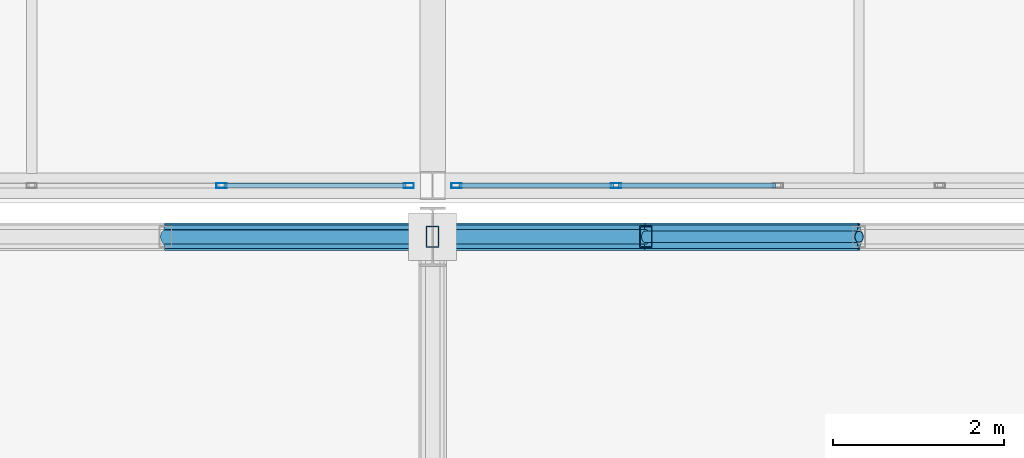
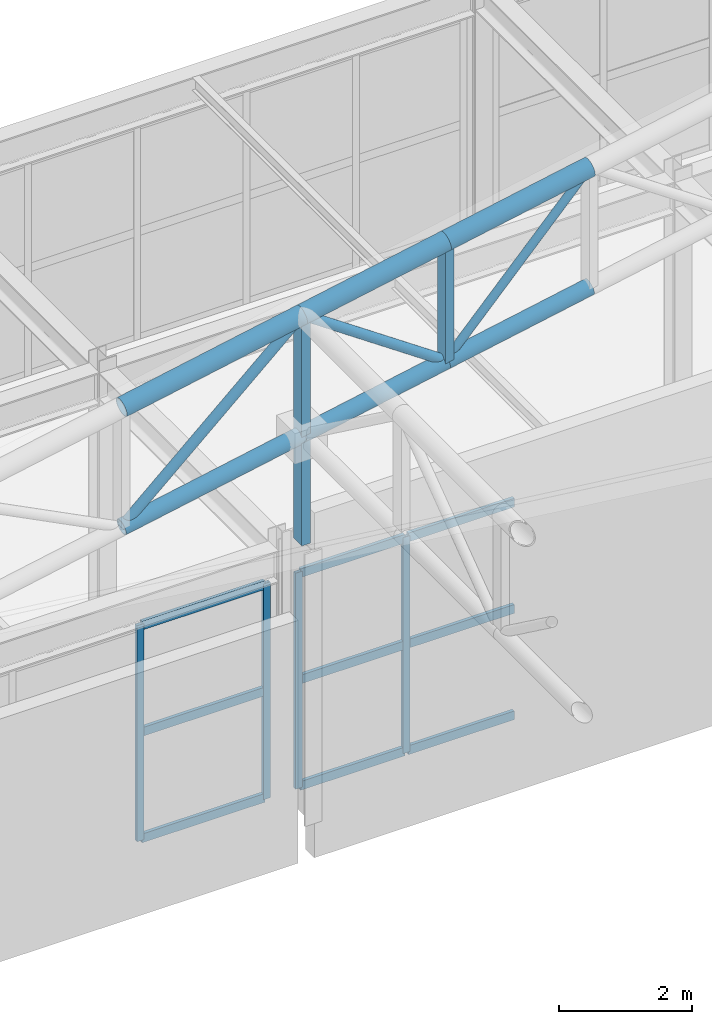
# One storey, part 65 of 112: 24 members, 2 elements without a shape of their own.
"""IFC4 building model written with IfcOpenShell, lengths in metres."""

from ifc_helpers import new_model, si_unit, direction, frame, origin, origin_2d, place, context, subcontext, project, spatial, hollow_rectangle, hollow_circle, extrude, material, material_profile, profile_set, type_object, element, aggregate, save


model = new_model("IFC4")

# Units and contexts
model_context = context("Model", 3, precision=1e-05, world=origin(), true_north=direction((0.0, 1.0)))
body_context = subcontext(model_context, "Body", "Model", "MODEL_VIEW")
ifc_project = project(units=[si_unit("LENGTHUNIT", "METRE"), si_unit("AREAUNIT", "SQUARE_METRE"), si_unit("VOLUMEUNIT", "CUBIC_METRE"), si_unit("PLANEANGLEUNIT", "RADIAN"), si_unit("MASSUNIT", "GRAM", prefix="KILO")], contexts=[model_context])

# Site, building, storey
site_placement = place(None, origin())
site = spatial("IfcSite", under=ifc_project, at=site_placement, CompositionType="ELEMENT")
building_placement = place(site_placement, origin())
building = spatial("IfcBuilding", under=site, at=building_placement, Name="Kaldris Quays Convention Centre", CompositionType="ELEMENT")
storey_placement = place(building_placement, frame((0.0, 0.0, 16.800048828125)))
storey = spatial("IfcBuildingStorey", under=building, at=storey_placement, Name="L03", CompositionType="ELEMENT", Elevation=16.800048828125)

# Curtain wall, members
ifc_material_1 = material(Name="Anodized aluminium AW-6060 and triple glazing", Category="aluminium")
curtain_wall_type = type_object("IfcCurtainWallType", Name="UNITISED CURTAIN WALL CW06", PredefinedType="NOTDEFINED", material=ifc_material_1)
curtain_wall_1_placement = place(storey_placement, origin())
curtain_wall_1 = element("IfcCurtainWall", 1, at=curtain_wall_1_placement, inside=storey, type_object=curtain_wall_type, Name="L03 Unitised Curtain Wall CW06 174", PredefinedType="NOTDEFINED")
ifc_material_2 = material(Name="Anodized aluminium AW-6060", Category="aluminium")
ifc_material_profile_1 = material_profile(ifc_material_2, hollow_rectangle(XDim=0.06005859375, YDim=0.1201171875, WallThickness=0.00390625, at=origin_2d()), Name="RHS 120x60x4")
ifc_profile_set_1 = profile_set([ifc_material_profile_1], Name="Anodized aluminium AW-6060")
member_type_1 = type_object("IfcMemberType", Name="CURTAIN MULLION CWM3", PredefinedType="MULLION", material=ifc_profile_set_1)
member_1_placement = place(storey_placement, frame((171.52490234375, 104.60009765625, 0.0), z_axis=(0.0, 0.0, 1.0), x_axis=(0.0, 1.0, 0.0)))
member_1 = element("IfcMember", 2, at=member_1_placement, type_object=member_type_1, Name="CW06 mullion 4", PredefinedType="MULLION", context=body_context, shape_type="SweptSolid", body=[
    extrude(hollow_rectangle(XDim=0.06005859375, YDim=0.1201171875, WallThickness=0.00390625, at=origin_2d()), origin(), (0.0, 0.0, 1.0), 3.967041015625),
])
member_2_placement = place(storey_placement, frame((173.719970703125, 104.60009765625, 0.0), z_axis=(0.0, 0.0, 1.0), x_axis=(0.0, 1.0, 0.0)))
member_2 = element("IfcMember", 3, at=member_2_placement, type_object=member_type_1, Name="CW06 mullion 5", PredefinedType="MULLION", context=body_context, shape_type="SweptSolid", body=[
    extrude(hollow_rectangle(XDim=0.06005859375, YDim=0.1201171875, WallThickness=0.00390625, at=origin_2d()), origin(), (0.0, 0.0, 1.0), 3.967041015625),
])

curtain_wall_2_placement = place(storey_placement, origin())
curtain_wall_2 = element("IfcCurtainWall", 4, at=curtain_wall_2_placement, inside=storey, type_object=curtain_wall_type, Name="L03 Unitised Curtain Wall CW06 176", PredefinedType="NOTDEFINED")
member_3_placement = place(storey_placement, frame((174.280029296875, 104.60009765625, 0.0), z_axis=(0.0, 0.0, 1.0), x_axis=(0.0, 1.0, 0.0)))
member_3 = element("IfcMember", 5, at=member_3_placement, type_object=member_type_1, Name="CW06 mullion 1", PredefinedType="MULLION", context=body_context, shape_type="SweptSolid", body=[
    extrude(hollow_rectangle(XDim=0.06005859375, YDim=0.1201171875, WallThickness=0.00390625, at=origin_2d()), origin(), (0.0, 0.0, 1.0), 3.967041015625),
])
member_4_placement = place(storey_placement, frame((176.14990234375, 104.60009765625, 0.0), z_axis=(0.0, 0.0, 1.0), x_axis=(0.0, 1.0, 0.0)))
member_4 = element("IfcMember", 6, at=member_4_placement, type_object=member_type_1, Name="CW06 mullion 2", PredefinedType="MULLION", context=body_context, shape_type="SweptSolid", body=[
    extrude(hollow_rectangle(XDim=0.06005859375, YDim=0.1201171875, WallThickness=0.00390625, at=origin_2d()), origin(), (0.0, 0.0, 1.0), 3.967041015625),
])

# Member
ifc_material_profile_2 = material_profile(ifc_material_2, hollow_rectangle(XDim=0.06005859375, YDim=0.159912109375, WallThickness=0.00390625, at=origin_2d()), Name="RHS 160x60x4")
ifc_profile_set_2 = profile_set([ifc_material_profile_2], Name="Anodized aluminium AW-6060")
member_type_2 = type_object("IfcMemberType", Name="CURTAIN TRANSOM CWT2", PredefinedType="USERDEFINED", material=ifc_profile_set_2)
member_5_placement = place(storey_placement, frame((171.554931640625, 104.60009765625, 0.030029296875), z_axis=(1.0, 0.0, 0.0), x_axis=(0.0, 1.0, 0.0)))
member_5 = element("IfcMember", 7, at=member_5_placement, type_object=member_type_2, Name="CW06 transom 4.1", ObjectType="TRANSOM", PredefinedType="USERDEFINED", context=body_context, shape_type="SweptSolid", body=[
    extrude(hollow_rectangle(XDim=0.06005859375, YDim=0.159912109375, WallThickness=0.00390625, at=origin_2d()), origin(), (0.0, 0.0, 1.0), 2.135009765625),
])

member_6_placement = place(storey_placement, frame((171.554931640625, 104.60009765625, 1.98388671875), z_axis=(1.0, 0.0, 0.0), x_axis=(0.0, 1.0, 0.0)))
member_6 = element("IfcMember", 8, at=member_6_placement, type_object=member_type_2, Name="CW06 transom 4.2", ObjectType="TRANSOM", PredefinedType="USERDEFINED", context=body_context, shape_type="SweptSolid", body=[
    extrude(hollow_rectangle(XDim=0.06005859375, YDim=0.159912109375, WallThickness=0.00390625, at=origin_2d()), origin(), (0.0, 0.0, 1.0), 2.135009765625),
])

member_7_placement = place(storey_placement, frame((171.554931640625, 104.60009765625, 3.93701171875), z_axis=(1.0, 0.0, 0.0), x_axis=(0.0, 1.0, 0.0)))
member_7 = element("IfcMember", 9, at=member_7_placement, type_object=member_type_2, Name="CW06 transom 4.3", ObjectType="TRANSOM", PredefinedType="USERDEFINED", context=body_context, shape_type="SweptSolid", body=[
    extrude(hollow_rectangle(XDim=0.06005859375, YDim=0.159912109375, WallThickness=0.00390625, at=origin_2d()), origin(), (0.0, 0.0, 1.0), 2.135009765625),
])

aggregate(curtain_wall_1, [member_1, member_2, member_5, member_6, member_7])

member_8_placement = place(storey_placement, frame((174.31005859375, 104.60009765625, 0.030029296875), z_axis=(1.0, 0.0, 0.0), x_axis=(0.0, 1.0, 0.0)))
member_8 = element("IfcMember", 10, at=member_8_placement, type_object=member_type_2, Name="CW06 transom 1.1", ObjectType="TRANSOM", PredefinedType="USERDEFINED", context=body_context, shape_type="SweptSolid", body=[
    extrude(hollow_rectangle(XDim=0.06005859375, YDim=0.159912109375, WallThickness=0.00390625, at=origin_2d()), origin(), (0.0, 0.0, 1.0), 1.81005859375),
])

member_9_placement = place(storey_placement, frame((174.31005859375, 104.60009765625, 1.98388671875), z_axis=(1.0, 0.0, 0.0), x_axis=(0.0, 1.0, 0.0)))
member_9 = element("IfcMember", 11, at=member_9_placement, type_object=member_type_2, Name="CW06 transom 1.2", ObjectType="TRANSOM", PredefinedType="USERDEFINED", context=body_context, shape_type="SweptSolid", body=[
    extrude(hollow_rectangle(XDim=0.06005859375, YDim=0.159912109375, WallThickness=0.00390625, at=origin_2d()), origin(), (0.0, 0.0, 1.0), 1.81005859375),
])

member_10_placement = place(storey_placement, frame((174.31005859375, 104.60009765625, 3.93701171875), z_axis=(1.0, 0.0, 0.0), x_axis=(0.0, 1.0, 0.0)))
member_10 = element("IfcMember", 12, at=member_10_placement, type_object=member_type_2, Name="CW06 transom 1.3", ObjectType="TRANSOM", PredefinedType="USERDEFINED", context=body_context, shape_type="SweptSolid", body=[
    extrude(hollow_rectangle(XDim=0.06005859375, YDim=0.159912109375, WallThickness=0.00390625, at=origin_2d()), origin(), (0.0, 0.0, 1.0), 1.81005859375),
])

member_11_placement = place(storey_placement, frame((176.179931640625, 104.60009765625, 0.030029296875), z_axis=(1.0, 0.0, 0.0), x_axis=(0.0, 1.0, 0.0)))
member_11 = element("IfcMember", 13, at=member_11_placement, type_object=member_type_2, Name="CW06 transom 2.1", ObjectType="TRANSOM", PredefinedType="USERDEFINED", context=body_context, shape_type="SweptSolid", body=[
    extrude(hollow_rectangle(XDim=0.06005859375, YDim=0.159912109375, WallThickness=0.00390625, at=origin_2d()), origin(), (0.0, 0.0, 1.0), 1.840087890625),
])

member_12_placement = place(storey_placement, frame((176.179931640625, 104.60009765625, 1.98388671875), z_axis=(1.0, 0.0, 0.0), x_axis=(0.0, 1.0, 0.0)))
member_12 = element("IfcMember", 14, at=member_12_placement, type_object=member_type_2, Name="CW06 transom 2.2", ObjectType="TRANSOM", PredefinedType="USERDEFINED", context=body_context, shape_type="SweptSolid", body=[
    extrude(hollow_rectangle(XDim=0.06005859375, YDim=0.159912109375, WallThickness=0.00390625, at=origin_2d()), origin(), (0.0, 0.0, 1.0), 1.840087890625),
])

member_13_placement = place(storey_placement, frame((176.179931640625, 104.60009765625, 3.93701171875), z_axis=(1.0, 0.0, 0.0), x_axis=(0.0, 1.0, 0.0)))
member_13 = element("IfcMember", 15, at=member_13_placement, type_object=member_type_2, Name="CW06 transom 2.3", ObjectType="TRANSOM", PredefinedType="USERDEFINED", context=body_context, shape_type="SweptSolid", body=[
    extrude(hollow_rectangle(XDim=0.06005859375, YDim=0.159912109375, WallThickness=0.00390625, at=origin_2d()), origin(), (0.0, 0.0, 1.0), 1.840087890625),
])

aggregate(curtain_wall_2, [member_3, member_4, member_8, member_9, member_10, member_11, member_12, member_13])

# Members
ifc_material_3 = material(Name="Steel S355J2H", Category="steel")
ifc_material_profile_3 = material_profile(ifc_material_3, hollow_circle(Radius=0.161865234375, WallThickness=0.01611328125, at=origin_2d()), Name="CHS 323.9x16")
ifc_profile_set_3 = profile_set([ifc_material_profile_3], Name="Steel S355J2H")
member_type_3 = type_object("IfcMemberType", Name="STRUCTURAL MEMBER SC03", PredefinedType="CHORD", material=ifc_profile_set_3)
member_14_placement = place(storey_placement, frame((170.86669921875, 104.0, 8.539306640625), z_axis=(0.981908086595, 0.0, 0.189358151342), x_axis=(0.0, 1.0, 0.0)))
element("IfcMember", 16, at=member_14_placement, inside=storey, type_object=member_type_3, Name="SF-V2 Top Chord X 63", PredefinedType="CHORD", context=body_context, shape_type="SweptSolid", body=[
    extrude(hollow_circle(Radius=0.161865234375, WallThickness=0.01611328125, at=origin_2d()), origin(), (0.0, 0.0, 1.0), 3.19091796875),
])
for number, where, z_axis, x_axis, name in (
    (17, (174.0, 104.0, 9.1435546875), (0.981903710383, 0.0, 0.189380842579), (0.0, 1.0, 0.0), "SF-V2 Top Chord X 64"),
    (18, (176.5, 104.0, 9.625732421875), (0.981885875429, 0.0, 0.189473290024), (0.0, 1.0, 0.0), "SF-V2 Top Chord X 65"),
):
    element("IfcMember", number, at=place(storey_placement, frame(where, z_axis=z_axis, x_axis=x_axis)), inside=storey, type_object=member_type_3, Name=name, PredefinedType="CHORD", context=body_context, shape_type="SweptSolid", body=[
        extrude(hollow_circle(Radius=0.161865234375, WallThickness=0.01611328125, at=origin_2d()), origin(), (0.0, 0.0, 1.0), 2.546142578125),
    ])
ifc_material_profile_4 = material_profile(ifc_material_3, hollow_circle(Radius=0.136474609375, WallThickness=0.012451171875, at=origin_2d()), Name="CHS 273x12.5")
ifc_profile_set_4 = profile_set([ifc_material_profile_4], Name="Steel S355J2H")
member_type_4 = type_object("IfcMemberType", Name="STRUCTURAL MEMBER SC04", PredefinedType="CHORD", material=ifc_profile_set_4)
member_15_placement = place(storey_placement, frame((170.86669921875, 104.0, 6.33935546875), z_axis=(0.981908086595, 0.0, 0.189358151342), x_axis=(0.0, 1.0, 0.0)))
element("IfcMember", 19, at=member_15_placement, inside=storey, type_object=member_type_4, Name="SF-V2 Bottom Chord X 63", PredefinedType="CHORD", context=body_context, shape_type="SweptSolid", body=[
    extrude(hollow_circle(Radius=0.136474609375, WallThickness=0.012451171875, at=origin_2d()), origin(), (0.0, 0.0, 1.0), 3.19091796875),
])
for number, where, z_axis, x_axis, name in (
    (20, (174.0, 104.0, 6.943603515625), (0.981903710383, 0.0, 0.189380842579), (0.0, 1.0, 0.0), "SF-V2 Bottom Chord X 64"),
    (21, (176.5, 104.0, 7.42578125), (0.981885875429, 0.0, 0.189473290024), (0.0, 1.0, 0.0), "SF-V2 Bottom Chord X 65"),
):
    element("IfcMember", number, at=place(storey_placement, frame(where, z_axis=z_axis, x_axis=x_axis)), inside=storey, type_object=member_type_4, Name=name, PredefinedType="CHORD", context=body_context, shape_type="SweptSolid", body=[
        extrude(hollow_circle(Radius=0.136474609375, WallThickness=0.012451171875, at=origin_2d()), origin(), (0.0, 0.0, 1.0), 2.546142578125),
    ])
ifc_material_profile_5 = material_profile(ifc_material_3, hollow_circle(Radius=0.084228515625, WallThickness=0.008056640625, at=origin_2d()), Name="CHS 168.3x8")
ifc_profile_set_5 = profile_set([ifc_material_profile_5], Name="Steel S355J2H")
member_type_5 = type_object("IfcMemberType", Name="STRUCTURAL MEMBER SWB2", PredefinedType="BRACE", material=ifc_profile_set_5)
member_16_placement = place(storey_placement, frame((170.86669921875, 104.0, 6.33935546875), z_axis=(0.745156270272, 0.0, 0.666889895616), x_axis=(0.0, 1.0, 0.0)))
element("IfcMember", 22, at=member_16_placement, inside=storey, type_object=member_type_5, Name="SF-V2 Web Diagonal X 63", PredefinedType="BRACE", context=body_context, shape_type="SweptSolid", body=[
    extrude(hollow_circle(Radius=0.084228515625, WallThickness=0.008056640625, at=origin_2d()), origin(), (0.0, 0.0, 1.0), 4.204833984375),
])
member_17_placement = place(storey_placement, frame((176.5, 104.0, 7.42578125), z_axis=(-0.8241921955, 0.0, 0.56631018433), x_axis=(0.0, -1.0, 0.0)))
element("IfcMember", 23, at=member_17_placement, inside=storey, type_object=member_type_5, Name="SF-V2 Web Diagonal X 64", PredefinedType="BRACE", context=body_context, shape_type="SweptSolid", body=[
    extrude(hollow_circle(Radius=0.084228515625, WallThickness=0.008056640625, at=origin_2d()), origin(), (0.0, 0.0, 1.0), 3.033203125),
])
ifc_material_profile_6 = material_profile(ifc_material_3, hollow_circle(Radius=0.06982421875, WallThickness=0.00634765625, at=origin_2d()), Name="CHS 139.7x6.3")
ifc_profile_set_6 = profile_set([ifc_material_profile_6], Name="Steel S355J2H")
member_type_6 = type_object("IfcMemberType", Name="STRUCTURAL MEMBER SWB4", PredefinedType="BRACE", material=ifc_profile_set_6)
member_18_placement = place(storey_placement, frame((176.5, 104.0, 7.42578125), z_axis=(0.681800921589, 0.0, 0.731537766162), x_axis=(0.0, 1.0, 0.0)))
element("IfcMember", 24, at=member_18_placement, inside=storey, type_object=member_type_6, Name="SF-V2 Web Diagonal X 65", PredefinedType="BRACE", context=body_context, shape_type="SweptSolid", body=[
    extrude(hollow_circle(Radius=0.06982421875, WallThickness=0.00634765625, at=origin_2d()), origin(), (0.0, 0.0, 1.0), 3.666748046875),
])
ifc_material_profile_7 = material_profile(ifc_material_3, hollow_rectangle(XDim=0.14990234375, YDim=0.25, WallThickness=0.010009765625, at=origin_2d()), Name="RHS 250x150x10")
ifc_profile_set_7 = profile_set([ifc_material_profile_7], Name="Steel S355J2H")
member_type_7 = type_object("IfcMemberType", Name="STRUCTURAL MEMBER TTV1", PredefinedType="POST", material=ifc_profile_set_7)
member_19_placement = place(storey_placement, frame((174.0, 104.0, 4.993896484375), z_axis=(0.0, 0.0, 1.0), x_axis=(1.0, 0.0, 0.0)))
element("IfcMember", 25, at=member_19_placement, inside=storey, type_object=member_type_7, Name="SF-V2 Space-Frame Post 44", PredefinedType="POST", context=body_context, shape_type="SweptSolid", body=[
    extrude(hollow_rectangle(XDim=0.14990234375, YDim=0.25, WallThickness=0.010009765625, at=origin_2d()), origin(), (0.0, 0.0, 1.0), 4.149658203125),
])
member_20_placement = place(storey_placement, frame((176.5, 104.0, 7.42578125), z_axis=(0.0, 0.0, 1.0), x_axis=(1.0, 0.0, 0.0)))
element("IfcMember", 26, at=member_20_placement, inside=storey, type_object=member_type_7, Name="SF-V2 Space-Frame Post 49", PredefinedType="POST", context=body_context, shape_type="SweptSolid", body=[
    extrude(hollow_rectangle(XDim=0.14990234375, YDim=0.25, WallThickness=0.010009765625, at=origin_2d()), origin(), (0.0, 0.0, 1.0), 2.199951171875),
])

save(model, "model.ifc")
